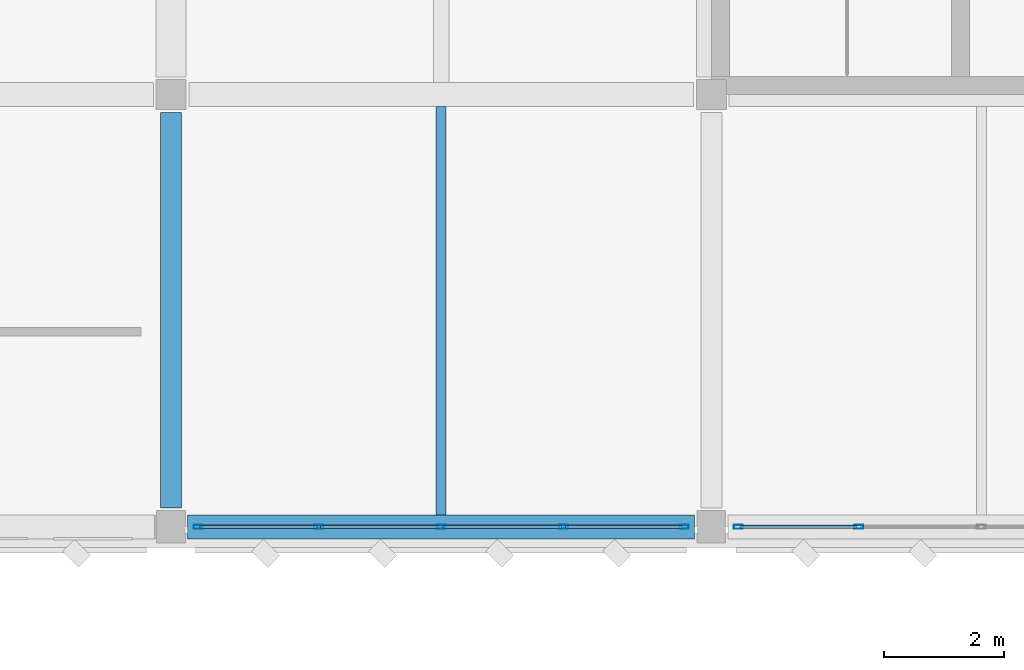
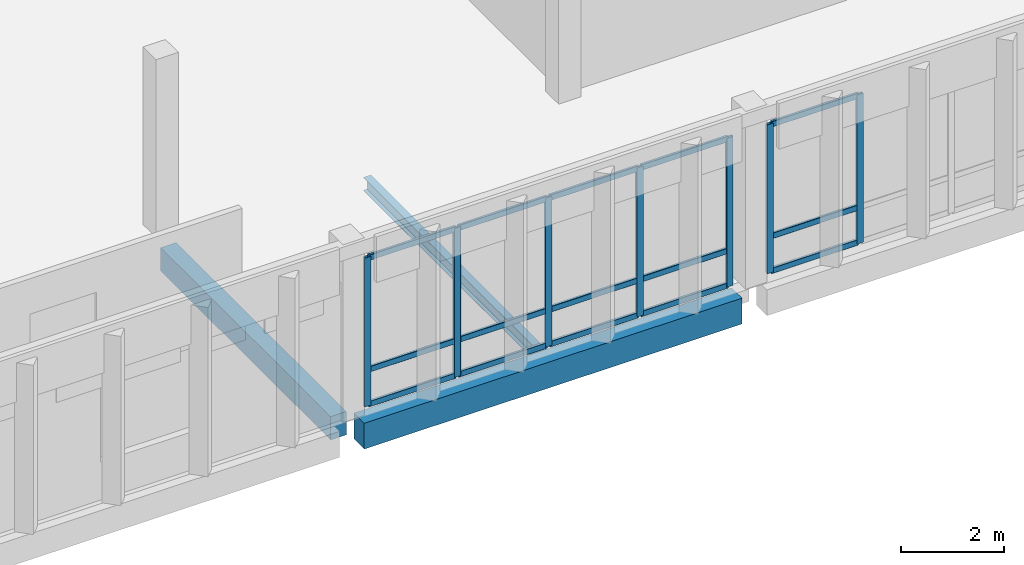
# One storey, part 40 of 72: 22 members, 3 beams, 2 elements without a shape of their own.
"""IFC4 building model written with IfcOpenShell, lengths in metres."""

from ifc_helpers import new_model, si_unit, direction, frame, origin, origin_2d, place, context, subcontext, project, spatial, rectangle, hollow_rectangle, i_section, extrude, material, material_profile, profile_set, type_object, element, aggregate, save


model = new_model("IFC4")

# Units and contexts
model_context = context("Model", 3, precision=1e-05, world=origin(), true_north=direction((0.0, 1.0)))
body_context = subcontext(model_context, "Body", "Model", "MODEL_VIEW")
ifc_project = project(units=[si_unit("LENGTHUNIT", "METRE"), si_unit("AREAUNIT", "SQUARE_METRE"), si_unit("VOLUMEUNIT", "CUBIC_METRE"), si_unit("PLANEANGLEUNIT", "RADIAN"), si_unit("MASSUNIT", "GRAM", prefix="KILO")], contexts=[model_context])

# Site, building, storey
site_placement = place(None, origin())
site = spatial("IfcSite", under=ifc_project, at=site_placement, CompositionType="ELEMENT")
building_placement = place(site_placement, origin())
building = spatial("IfcBuilding", under=site, at=building_placement, Name="Lusvemor Sports Hall", CompositionType="ELEMENT")
storey_placement = place(building_placement, frame((0.0, 0.0, 15.0)))
storey = spatial("IfcBuildingStorey", under=building, at=storey_placement, Name="L03", CompositionType="ELEMENT", Elevation=15.0)

# Beam
ifc_material_1 = material(Name="Concrete C40/50", Category="concrete")
ifc_material_profile_1 = material_profile(ifc_material_1, rectangle(XDim=0.35009765625, YDim=0.550048828125, at=origin_2d()), Name="RC350x550")
ifc_profile_set_1 = profile_set([ifc_material_profile_1], Name="Concrete C40/50")
beam_type_1 = type_object("IfcBeamType", Name="BEAM_RC_550", PredefinedType="BEAM", material=ifc_profile_set_1)
beam_1_placement = place(storey_placement, frame((93.60009765625, 97.51611328125, -0.514892578125), z_axis=(0.0, 1.0, 0.0), x_axis=(-1.0, 0.0, 0.0)))
element("IfcBeam", 1, at=beam_1_placement, inside=storey, type_object=beam_type_1, Name="Beam L03 10:N-P", PredefinedType="BEAM", context=body_context, shape_type="SweptSolid", body=[
    extrude(rectangle(XDim=0.35009765625, YDim=0.550048828125, at=origin_2d()), origin(), (0.0, 0.0, 1.0), 6.587890625),
])

# Curtain wall, members
ifc_material_2 = material(Name="Thermally broken bronze-anodized aluminium", Category="aluminium")
curtain_wall_type = type_object("IfcCurtainWallType", Name="CW_WING_B", PredefinedType="NOTDEFINED", material=ifc_material_2)
curtain_wall_1_placement = place(storey_placement, origin())
curtain_wall_1 = element("IfcCurtainWall", 2, at=curtain_wall_1_placement, inside=storey, type_object=curtain_wall_type, Name="Curtain Wall CW-L03-S-3-7", PredefinedType="NOTDEFINED")
ifc_material_3 = material(Name="Thermally broken bronze-anodized aluminium", Category="aluminium")
ifc_material_profile_2 = material_profile(ifc_material_3, hollow_rectangle(XDim=0.06494140625, YDim=0.14990234375, WallThickness=0.00390625, InnerFilletRadius=0.00390625, OuterFilletRadius=0.008056640625, at=origin_2d()), Name="CWMUL150x65x4")
ifc_profile_set_2 = profile_set([ifc_material_profile_2], Name="Thermally broken bronze-anodized aluminium")
member_type_1 = type_object("IfcMemberType", Name="CW_MUL_B", PredefinedType="MULLION", material=ifc_profile_set_2)
member_1_placement = place(storey_placement, frame((102.1474609375, 97.199951171875, 0.0), z_axis=(0.0, 0.0, 1.0), x_axis=(0.0, -1.0, 0.0)))
member_1 = element("IfcMember", 3, at=member_1_placement, type_object=member_type_1, Name="CW02 mullion 1", PredefinedType="MULLION", context=body_context, shape_type="SweptSolid", body=[
    extrude(hollow_rectangle(XDim=0.06494140625, YDim=0.14990234375, WallThickness=0.00390625, InnerFilletRadius=0.00390625, OuterFilletRadius=0.008056640625, at=origin_2d()), origin(), (0.0, 0.0, 1.0), 3.52001953125),
])
member_2_placement = place(storey_placement, frame((100.139892578125, 97.199951171875, 0.0), z_axis=(0.0, 0.0, 1.0), x_axis=(0.0, -1.0, 0.0)))
member_2 = element("IfcMember", 4, at=member_2_placement, type_object=member_type_1, Name="CW02 mullion 2", PredefinedType="MULLION", context=body_context, shape_type="SweptSolid", body=[
    extrude(hollow_rectangle(XDim=0.06494140625, YDim=0.14990234375, WallThickness=0.00390625, InnerFilletRadius=0.00390625, OuterFilletRadius=0.008056640625, at=origin_2d()), origin(), (0.0, 0.0, 1.0), 3.52001953125),
])
member_3_placement = place(storey_placement, frame((98.10009765625, 97.199951171875, 0.0), z_axis=(0.0, 0.0, 1.0), x_axis=(0.0, -1.0, 0.0)))
member_3 = element("IfcMember", 5, at=member_3_placement, type_object=member_type_1, Name="CW02 mullion 3", PredefinedType="MULLION", context=body_context, shape_type="SweptSolid", body=[
    extrude(hollow_rectangle(XDim=0.06494140625, YDim=0.14990234375, WallThickness=0.00390625, InnerFilletRadius=0.00390625, OuterFilletRadius=0.008056640625, at=origin_2d()), origin(), (0.0, 0.0, 1.0), 3.52001953125),
])
member_4_placement = place(storey_placement, frame((96.06005859375, 97.199951171875, 0.0), z_axis=(0.0, 0.0, 1.0), x_axis=(0.0, -1.0, 0.0)))
member_4 = element("IfcMember", 6, at=member_4_placement, type_object=member_type_1, Name="CW02 mullion 4", PredefinedType="MULLION", context=body_context, shape_type="SweptSolid", body=[
    extrude(hollow_rectangle(XDim=0.06494140625, YDim=0.14990234375, WallThickness=0.00390625, InnerFilletRadius=0.00390625, OuterFilletRadius=0.008056640625, at=origin_2d()), origin(), (0.0, 0.0, 1.0), 3.52001953125),
])
member_5_placement = place(storey_placement, frame((94.052490234375, 97.199951171875, 0.0), z_axis=(0.0, 0.0, 1.0), x_axis=(0.0, -1.0, 0.0)))
member_5 = element("IfcMember", 7, at=member_5_placement, type_object=member_type_1, Name="CW02 mullion 5", PredefinedType="MULLION", context=body_context, shape_type="SweptSolid", body=[
    extrude(hollow_rectangle(XDim=0.06494140625, YDim=0.14990234375, WallThickness=0.00390625, InnerFilletRadius=0.00390625, OuterFilletRadius=0.008056640625, at=origin_2d()), origin(), (0.0, 0.0, 1.0), 3.52001953125),
])

curtain_wall_2_placement = place(storey_placement, origin())
curtain_wall_2 = element("IfcCurtainWall", 8, at=curtain_wall_2_placement, inside=storey, type_object=curtain_wall_type, Name="Curtain Wall CW-L03-S-3-8", PredefinedType="NOTDEFINED")
member_6_placement = place(storey_placement, frame((105.06005859375, 97.199951171875, 0.0), z_axis=(0.0, 0.0, 1.0), x_axis=(0.0, -1.0, 0.0)))
member_6 = element("IfcMember", 9, at=member_6_placement, type_object=member_type_1, Name="CW02 mullion 4", PredefinedType="MULLION", context=body_context, shape_type="SweptSolid", body=[
    extrude(hollow_rectangle(XDim=0.06494140625, YDim=0.14990234375, WallThickness=0.00390625, InnerFilletRadius=0.00390625, OuterFilletRadius=0.008056640625, at=origin_2d()), origin(), (0.0, 0.0, 1.0), 3.52001953125),
])
member_7_placement = place(storey_placement, frame((103.052490234375, 97.199951171875, 0.0), z_axis=(0.0, 0.0, 1.0), x_axis=(0.0, -1.0, 0.0)))
member_7 = element("IfcMember", 10, at=member_7_placement, type_object=member_type_1, Name="CW02 mullion 5", PredefinedType="MULLION", context=body_context, shape_type="SweptSolid", body=[
    extrude(hollow_rectangle(XDim=0.06494140625, YDim=0.14990234375, WallThickness=0.00390625, InnerFilletRadius=0.00390625, OuterFilletRadius=0.008056640625, at=origin_2d()), origin(), (0.0, 0.0, 1.0), 3.52001953125),
])

# Member
ifc_material_4 = material(Name="Thermally broken bronze-anodized aluminium", Category="aluminium")
ifc_material_profile_3 = material_profile(ifc_material_4, hollow_rectangle(XDim=0.06005859375, YDim=0.135009765625, WallThickness=0.00390625, InnerFilletRadius=0.00390625, OuterFilletRadius=0.008056640625, at=origin_2d()), Name="CWTRN135x60x4")
ifc_profile_set_3 = profile_set([ifc_material_profile_3], Name="Thermally broken bronze-anodized aluminium")
member_type_2 = type_object("IfcMemberType", Name="CW_TRN_B", PredefinedType="USERDEFINED", material=ifc_profile_set_3)
member_8_placement = place(storey_placement, frame((102.114990234375, 97.199951171875, 0.030029296875), z_axis=(-1.0, 0.0, 0.0), x_axis=(0.0, -1.0, 0.0)))
member_8 = element("IfcMember", 11, at=member_8_placement, type_object=member_type_2, Name="CW02 transom 1.1", ObjectType="TRANSOM", PredefinedType="USERDEFINED", context=body_context, shape_type="SweptSolid", body=[
    extrude(hollow_rectangle(XDim=0.06005859375, YDim=0.135009765625, WallThickness=0.00390625, InnerFilletRadius=0.00390625, OuterFilletRadius=0.008056640625, at=origin_2d()), origin(), (0.0, 0.0, 1.0), 1.9423828125),
])

member_9_placement = place(storey_placement, frame((102.114990234375, 97.199951171875, 0.85009765625), z_axis=(-1.0, 0.0, 0.0), x_axis=(0.0, -1.0, 0.0)))
member_9 = element("IfcMember", 12, at=member_9_placement, type_object=member_type_2, Name="CW02 transom 1.2", ObjectType="TRANSOM", PredefinedType="USERDEFINED", context=body_context, shape_type="SweptSolid", body=[
    extrude(hollow_rectangle(XDim=0.06005859375, YDim=0.135009765625, WallThickness=0.00390625, InnerFilletRadius=0.00390625, OuterFilletRadius=0.008056640625, at=origin_2d()), origin(), (0.0, 0.0, 1.0), 1.9423828125),
])

member_10_placement = place(storey_placement, frame((102.114990234375, 97.199951171875, 3.489990234375), z_axis=(-1.0, 0.0, 0.0), x_axis=(0.0, -1.0, 0.0)))
member_10 = element("IfcMember", 13, at=member_10_placement, type_object=member_type_2, Name="CW02 transom 1.3", ObjectType="TRANSOM", PredefinedType="USERDEFINED", context=body_context, shape_type="SweptSolid", body=[
    extrude(hollow_rectangle(XDim=0.06005859375, YDim=0.135009765625, WallThickness=0.00390625, InnerFilletRadius=0.00390625, OuterFilletRadius=0.008056640625, at=origin_2d()), origin(), (0.0, 0.0, 1.0), 1.9423828125),
])

member_11_placement = place(storey_placement, frame((100.107421875, 97.199951171875, 0.030029296875), z_axis=(-1.0, 0.0, 0.0), x_axis=(0.0, -1.0, 0.0)))
member_11 = element("IfcMember", 14, at=member_11_placement, type_object=member_type_2, Name="CW02 transom 2.1", ObjectType="TRANSOM", PredefinedType="USERDEFINED", context=body_context, shape_type="SweptSolid", body=[
    extrude(hollow_rectangle(XDim=0.06005859375, YDim=0.135009765625, WallThickness=0.00390625, InnerFilletRadius=0.00390625, OuterFilletRadius=0.008056640625, at=origin_2d()), origin(), (0.0, 0.0, 1.0), 1.974853515625),
])

member_12_placement = place(storey_placement, frame((100.107421875, 97.199951171875, 0.85009765625), z_axis=(-1.0, 0.0, 0.0), x_axis=(0.0, -1.0, 0.0)))
member_12 = element("IfcMember", 15, at=member_12_placement, type_object=member_type_2, Name="CW02 transom 2.2", ObjectType="TRANSOM", PredefinedType="USERDEFINED", context=body_context, shape_type="SweptSolid", body=[
    extrude(hollow_rectangle(XDim=0.06005859375, YDim=0.135009765625, WallThickness=0.00390625, InnerFilletRadius=0.00390625, OuterFilletRadius=0.008056640625, at=origin_2d()), origin(), (0.0, 0.0, 1.0), 1.974853515625),
])

member_13_placement = place(storey_placement, frame((100.107421875, 97.199951171875, 3.489990234375), z_axis=(-1.0, 0.0, 0.0), x_axis=(0.0, -1.0, 0.0)))
member_13 = element("IfcMember", 16, at=member_13_placement, type_object=member_type_2, Name="CW02 transom 2.3", ObjectType="TRANSOM", PredefinedType="USERDEFINED", context=body_context, shape_type="SweptSolid", body=[
    extrude(hollow_rectangle(XDim=0.06005859375, YDim=0.135009765625, WallThickness=0.00390625, InnerFilletRadius=0.00390625, OuterFilletRadius=0.008056640625, at=origin_2d()), origin(), (0.0, 0.0, 1.0), 1.974853515625),
])

member_14_placement = place(storey_placement, frame((98.0673828125, 97.199951171875, 0.030029296875), z_axis=(-1.0, 0.0, 0.0), x_axis=(0.0, -1.0, 0.0)))
member_14 = element("IfcMember", 17, at=member_14_placement, type_object=member_type_2, Name="CW02 transom 3.1", ObjectType="TRANSOM", PredefinedType="USERDEFINED", context=body_context, shape_type="SweptSolid", body=[
    extrude(hollow_rectangle(XDim=0.06005859375, YDim=0.135009765625, WallThickness=0.00390625, InnerFilletRadius=0.00390625, OuterFilletRadius=0.008056640625, at=origin_2d()), origin(), (0.0, 0.0, 1.0), 1.974853515625),
])

member_15_placement = place(storey_placement, frame((98.0673828125, 97.199951171875, 0.85009765625), z_axis=(-1.0, 0.0, 0.0), x_axis=(0.0, -1.0, 0.0)))
member_15 = element("IfcMember", 18, at=member_15_placement, type_object=member_type_2, Name="CW02 transom 3.2", ObjectType="TRANSOM", PredefinedType="USERDEFINED", context=body_context, shape_type="SweptSolid", body=[
    extrude(hollow_rectangle(XDim=0.06005859375, YDim=0.135009765625, WallThickness=0.00390625, InnerFilletRadius=0.00390625, OuterFilletRadius=0.008056640625, at=origin_2d()), origin(), (0.0, 0.0, 1.0), 1.974853515625),
])

member_16_placement = place(storey_placement, frame((98.0673828125, 97.199951171875, 3.489990234375), z_axis=(-1.0, 0.0, 0.0), x_axis=(0.0, -1.0, 0.0)))
member_16 = element("IfcMember", 19, at=member_16_placement, type_object=member_type_2, Name="CW02 transom 3.3", ObjectType="TRANSOM", PredefinedType="USERDEFINED", context=body_context, shape_type="SweptSolid", body=[
    extrude(hollow_rectangle(XDim=0.06005859375, YDim=0.135009765625, WallThickness=0.00390625, InnerFilletRadius=0.00390625, OuterFilletRadius=0.008056640625, at=origin_2d()), origin(), (0.0, 0.0, 1.0), 1.974853515625),
])

member_17_placement = place(storey_placement, frame((96.027587890625, 97.199951171875, 0.030029296875), z_axis=(-1.0, 0.0, 0.0), x_axis=(0.0, -1.0, 0.0)))
member_17 = element("IfcMember", 20, at=member_17_placement, type_object=member_type_2, Name="CW02 transom 4.1", ObjectType="TRANSOM", PredefinedType="USERDEFINED", context=body_context, shape_type="SweptSolid", body=[
    extrude(hollow_rectangle(XDim=0.06005859375, YDim=0.135009765625, WallThickness=0.00390625, InnerFilletRadius=0.00390625, OuterFilletRadius=0.008056640625, at=origin_2d()), origin(), (0.0, 0.0, 1.0), 1.942626953125),
])

member_18_placement = place(storey_placement, frame((96.027587890625, 97.199951171875, 0.85009765625), z_axis=(-1.0, 0.0, 0.0), x_axis=(0.0, -1.0, 0.0)))
member_18 = element("IfcMember", 21, at=member_18_placement, type_object=member_type_2, Name="CW02 transom 4.2", ObjectType="TRANSOM", PredefinedType="USERDEFINED", context=body_context, shape_type="SweptSolid", body=[
    extrude(hollow_rectangle(XDim=0.06005859375, YDim=0.135009765625, WallThickness=0.00390625, InnerFilletRadius=0.00390625, OuterFilletRadius=0.008056640625, at=origin_2d()), origin(), (0.0, 0.0, 1.0), 1.942626953125),
])

member_19_placement = place(storey_placement, frame((96.027587890625, 97.199951171875, 3.489990234375), z_axis=(-1.0, 0.0, 0.0), x_axis=(0.0, -1.0, 0.0)))
member_19 = element("IfcMember", 22, at=member_19_placement, type_object=member_type_2, Name="CW02 transom 4.3", ObjectType="TRANSOM", PredefinedType="USERDEFINED", context=body_context, shape_type="SweptSolid", body=[
    extrude(hollow_rectangle(XDim=0.06005859375, YDim=0.135009765625, WallThickness=0.00390625, InnerFilletRadius=0.00390625, OuterFilletRadius=0.008056640625, at=origin_2d()), origin(), (0.0, 0.0, 1.0), 1.942626953125),
])

aggregate(curtain_wall_1, [member_1, member_2, member_3, member_4, member_5, member_8, member_9, member_10, member_11, member_12, member_13, member_14, member_15, member_16, member_17, member_18, member_19])

member_20_placement = place(storey_placement, frame((105.027587890625, 97.199951171875, 0.030029296875), z_axis=(-1.0, 0.0, 0.0), x_axis=(0.0, -1.0, 0.0)))
member_20 = element("IfcMember", 23, at=member_20_placement, type_object=member_type_2, Name="CW02 transom 4.1", ObjectType="TRANSOM", PredefinedType="USERDEFINED", context=body_context, shape_type="SweptSolid", body=[
    extrude(hollow_rectangle(XDim=0.06005859375, YDim=0.135009765625, WallThickness=0.00390625, InnerFilletRadius=0.00390625, OuterFilletRadius=0.008056640625, at=origin_2d()), origin(), (0.0, 0.0, 1.0), 1.942626953125),
])

member_21_placement = place(storey_placement, frame((105.027587890625, 97.199951171875, 0.85009765625), z_axis=(-1.0, 0.0, 0.0), x_axis=(0.0, -1.0, 0.0)))
member_21 = element("IfcMember", 24, at=member_21_placement, type_object=member_type_2, Name="CW02 transom 4.2", ObjectType="TRANSOM", PredefinedType="USERDEFINED", context=body_context, shape_type="SweptSolid", body=[
    extrude(hollow_rectangle(XDim=0.06005859375, YDim=0.135009765625, WallThickness=0.00390625, InnerFilletRadius=0.00390625, OuterFilletRadius=0.008056640625, at=origin_2d()), origin(), (0.0, 0.0, 1.0), 1.942626953125),
])

member_22_placement = place(storey_placement, frame((105.027587890625, 97.199951171875, 3.489990234375), z_axis=(-1.0, 0.0, 0.0), x_axis=(0.0, -1.0, 0.0)))
member_22 = element("IfcMember", 25, at=member_22_placement, type_object=member_type_2, Name="CW02 transom 4.3", ObjectType="TRANSOM", PredefinedType="USERDEFINED", context=body_context, shape_type="SweptSolid", body=[
    extrude(hollow_rectangle(XDim=0.06005859375, YDim=0.135009765625, WallThickness=0.00390625, InnerFilletRadius=0.00390625, OuterFilletRadius=0.008056640625, at=origin_2d()), origin(), (0.0, 0.0, 1.0), 1.942626953125),
])

aggregate(curtain_wall_2, [member_6, member_7, member_20, member_21, member_22])

# Beams
ifc_material_5 = material(Name="Steel S355", Category="steel")
ifc_material_profile_4 = material_profile(ifc_material_5, i_section(OverallWidth=0.1669921875, OverallDepth=0.31689453125, WebThickness=0.007568359375, FlangeThickness=0.01318359375, FilletRadius=0.014892578125, at=origin_2d()), Name="W310x52.0")
ifc_profile_set_4 = profile_set([ifc_material_profile_4], Name="Steel S355")
beam_type_2 = type_object("IfcBeamType", Name="JOIST_ST_310M", PredefinedType="JOIST", material=ifc_profile_set_4)
beam_2_placement = place(storey_placement, frame((98.10009765625, 97.39599609375, -0.402587890625), z_axis=(0.0, 1.0, 0.0), x_axis=(-1.0, 0.0, 0.0)))
element("IfcBeam", 26, at=beam_2_placement, inside=storey, type_object=beam_type_2, Name="Secondary Joist L03 10-11/N-P #1", PredefinedType="JOIST", context=body_context, shape_type="SweptSolid", body=[
    extrude(i_section(OverallWidth=0.1669921875, OverallDepth=0.31689453125, WebThickness=0.007568359375, FlangeThickness=0.01318359375, FilletRadius=0.014892578125, at=origin_2d()), origin(), (0.0, 0.0, 1.0), 6.80810546875),
])
ifc_material_6 = material(Name="Concrete C40/50", Category="concrete")
ifc_material_profile_5 = material_profile(ifc_material_6, rectangle(XDim=0.39990234375, YDim=0.610107421875, at=origin_2d()), Name="RC400x610")
ifc_profile_set_5 = profile_set([ifc_material_profile_5], Name="Concrete C40/50")
beam_type_3 = type_object("IfcBeamType", Name="SPAND_EXT_650", PredefinedType="SPANDREL", material=ifc_profile_set_5)
beam_3_placement = place(storey_placement, frame((93.8759765625, 97.199951171875, -0.544921875), z_axis=(1.0, 0.0, 0.0), x_axis=(0.0, 1.0, 0.0)))
element("IfcBeam", 27, at=beam_3_placement, inside=storey, type_object=beam_type_3, Name="Beam L03 N:10-11", PredefinedType="SPANDREL", context=body_context, shape_type="SweptSolid", body=[
    extrude(rectangle(XDim=0.39990234375, YDim=0.610107421875, at=origin_2d()), origin(), (0.0, 0.0, 1.0), 8.447998046875),
])

save(model, "model.ifc")
